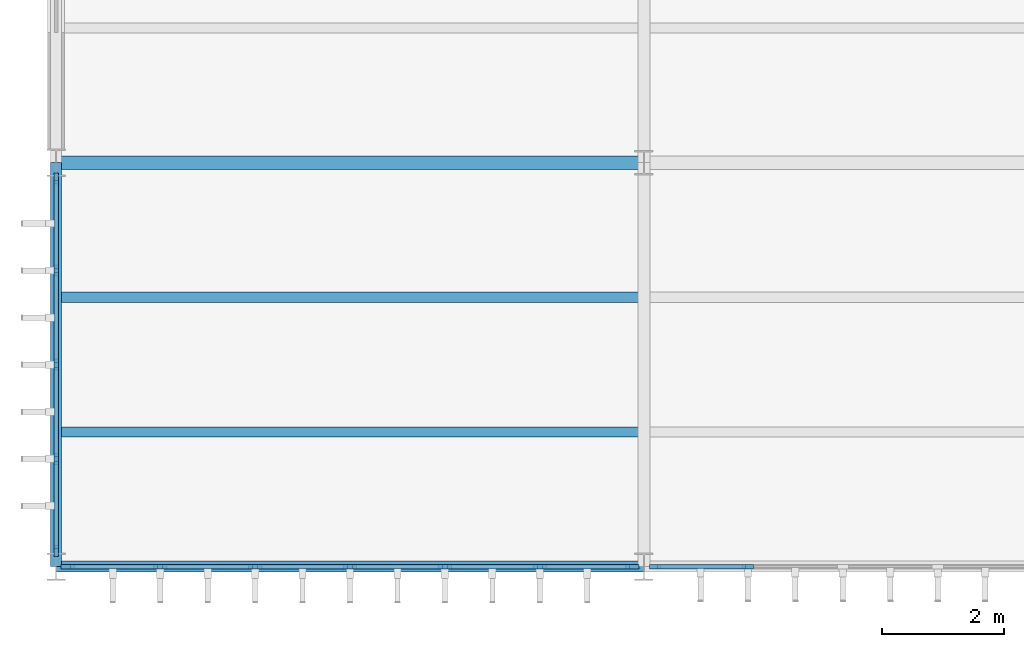
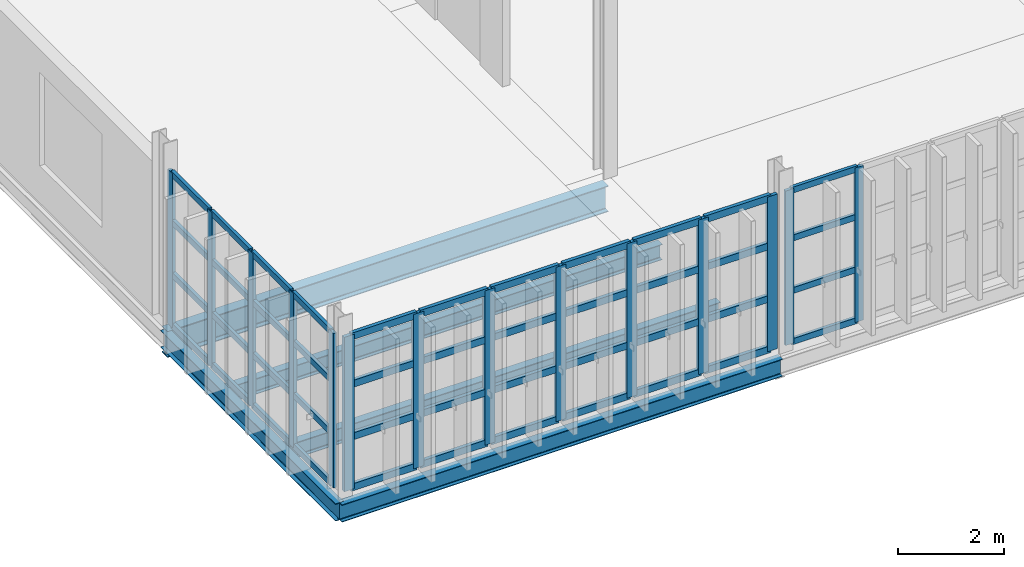
# One storey, part 4 of 38: 58 members, 5 beams, 3 elements without a shape of their own.
"""IFC4 building model written with IfcOpenShell, lengths in metres."""

from ifc_helpers import new_model, si_unit, direction, frame, origin, origin_2d, place, context, subcontext, project, spatial, rectangle, i_section, extrude, material, layer, layer_set, material_profile, profile_set, type_object, element, aggregate, save


model = new_model("IFC4")

# Units and contexts
model_context = context("Model", 3, precision=1e-05, world=origin(), true_north=direction((0.0, 1.0)))
body_context = subcontext(model_context, "Body", "Model", "MODEL_VIEW")
ifc_project = project(units=[si_unit("LENGTHUNIT", "METRE"), si_unit("AREAUNIT", "SQUARE_METRE"), si_unit("VOLUMEUNIT", "CUBIC_METRE"), si_unit("PLANEANGLEUNIT", "RADIAN"), si_unit("MASSUNIT", "GRAM", prefix="KILO")], contexts=[model_context])

# Site, building, storey
site_placement = place(None, origin())
site = spatial("IfcSite", under=ifc_project, at=site_placement, CompositionType="ELEMENT")
building_placement = place(site_placement, origin())
building = spatial("IfcBuilding", under=site, at=building_placement, Name="Zarnetskaya Central Station", CompositionType="ELEMENT")
storey_placement = place(building_placement, frame((0.0, 0.0, 18.60009765625)))
storey = spatial("IfcBuildingStorey", under=building, at=storey_placement, Name="L04", CompositionType="ELEMENT", Elevation=18.60009765625)

# Beams
ifc_material_1 = material(Name="Steel S355", Category="steel")
ifc_material_profile_1 = material_profile(ifc_material_1, i_section(OverallWidth=0.169921875, OverallDepth=0.360107421875, WebThickness=0.008056640625, FlangeThickness=0.0126953125, FilletRadius=0.01806640625, at=origin_2d()), Name="IPE 360")
ifc_profile_set_1 = profile_set([ifc_material_profile_1], Name="Steel S355")
beam_type_1 = type_object("IfcBeamType", Name="BM-SEC-360", PredefinedType="BEAM", material=ifc_profile_set_1)
for number, where, z_axis, x_axis, name in (
    (1, (0.080078125, 2.199951171875, -0.420166015625), (1.0, 0.0, 0.0), (0.0, 1.0, 0.0), "Secondary floor beam SEC-L04-Z1836-AB-12-1"),
    (2, (0.080078125, 4.39990234375, -0.420166015625), (1.0, 0.0, 0.0), (0.0, 1.0, 0.0), "Secondary floor beam SEC-L04-Z1836-AB-12-2"),
):
    element("IfcBeam", number, at=place(storey_placement, frame(where, z_axis=z_axis, x_axis=x_axis)), inside=storey, type_object=beam_type_1, Name=name, PredefinedType="BEAM", context=body_context, shape_type="SweptSolid", body=[
        extrude(i_section(OverallWidth=0.169921875, OverallDepth=0.360107421875, WebThickness=0.008056640625, FlangeThickness=0.0126953125, FilletRadius=0.01806640625, at=origin_2d()), origin(), (0.0, 0.0, 1.0), 9.43994140625),
    ])
ifc_material_profile_2 = material_profile(ifc_material_1, i_section(OverallWidth=0.179931640625, OverallDepth=0.39990234375, WebThickness=0.008544921875, FlangeThickness=0.013427734375, FilletRadius=0.02099609375, at=origin_2d()), Name="IPE 400")
ifc_profile_set_2 = profile_set([ifc_material_profile_2], Name="Steel S355")
beam_type_2 = type_object("IfcBeamType", Name="BM-SPN-V5", PredefinedType="SPANDREL", material=ifc_profile_set_2)
beam_1_placement = place(storey_placement, frame((0.0, 0.0, -0.440185546875), z_axis=(0.0, 1.0, 0.0), x_axis=(-1.0, 0.0, 0.0)))
element("IfcBeam", 3, at=beam_1_placement, inside=storey, type_object=beam_type_2, Name="Grid girder GY-L04-A-12", PredefinedType="SPANDREL", context=body_context, shape_type="SweptSolid", body=[
    extrude(i_section(OverallWidth=0.179931640625, OverallDepth=0.39990234375, WebThickness=0.008544921875, FlangeThickness=0.013427734375, FilletRadius=0.02099609375, at=origin_2d()), origin(), (0.0, 0.0, 1.0), 6.60009765625),
])
beam_2_placement = place(storey_placement, frame((0.0, 0.0, -0.440185546875), z_axis=(1.0, 0.0, 0.0), x_axis=(0.0, 1.0, 0.0)))
element("IfcBeam", 4, at=beam_2_placement, inside=storey, type_object=beam_type_2, Name="Grid girder GX-L04-1-AB", PredefinedType="SPANDREL", context=body_context, shape_type="SweptSolid", body=[
    extrude(i_section(OverallWidth=0.179931640625, OverallDepth=0.39990234375, WebThickness=0.008544921875, FlangeThickness=0.013427734375, FilletRadius=0.02099609375, at=origin_2d()), origin(), (0.0, 0.0, 1.0), 9.60009765625),
])

# Curtain wall, members
ifc_material_2 = material(Name="Low-E insulated glass", Category="glass")
ifc_layer_1 = layer(ifc_material_2, 0.159912109375, Name="Low-E insulated glass", Category="glass")
ifc_layer_set_1 = layer_set([ifc_layer_1], Name="Low-E insulated glass")
curtain_wall_type_1 = type_object("IfcCurtainWallType", Name="CW-SYS-06", PredefinedType="USERDEFINED", material=ifc_layer_set_1)
curtain_wall_1_placement = place(storey_placement, origin())
curtain_wall_1 = element("IfcCurtainWall", 5, at=curtain_wall_1_placement, inside=storey, type_object=curtain_wall_type_1, Name="Curtain wall CW-L04-047", ObjectType="CURTAIN WALL", PredefinedType="USERDEFINED")
ifc_material_3 = material(Name="Anodised aluminium", Category="aluminium")
ifc_material_profile_3 = material_profile(ifc_material_3, rectangle(XDim=0.070068359375, YDim=0.179931640625, at=origin_2d()), Name="ALU MULL 70x180")
ifc_profile_set_3 = profile_set([ifc_material_profile_3], Name="Anodised aluminium")
member_type_1 = type_object("IfcMemberType", Name="CW-MULL-180", PredefinedType="MULLION", material=ifc_profile_set_3)
member_1_placement = place(storey_placement, frame((0.0, 0.260009765625, 0.0), z_axis=(0.0, 0.0, 1.0), x_axis=(-1.0, 0.0, 0.0)))
member_1 = element("IfcMember", 6, at=member_1_placement, type_object=member_type_1, Name="CW-02 mullion 1", PredefinedType="MULLION", context=body_context, shape_type="SweptSolid", body=[
    extrude(rectangle(XDim=0.070068359375, YDim=0.179931640625, at=origin_2d()), origin(), (0.0, 0.0, 1.0), 3.559814453125),
])
member_2_placement = place(storey_placement, frame((0.0, 1.762451171875, 0.0), z_axis=(0.0, 0.0, 1.0), x_axis=(-1.0, 0.0, 0.0)))
member_2 = element("IfcMember", 7, at=member_2_placement, type_object=member_type_1, Name="CW-02 mullion 2", PredefinedType="MULLION", context=body_context, shape_type="SweptSolid", body=[
    extrude(rectangle(XDim=0.070068359375, YDim=0.179931640625, at=origin_2d()), origin(), (0.0, 0.0, 1.0), 3.559814453125),
])
member_3_placement = place(storey_placement, frame((0.0, 3.300048828125, 0.0), z_axis=(0.0, 0.0, 1.0), x_axis=(-1.0, 0.0, 0.0)))
member_3 = element("IfcMember", 8, at=member_3_placement, type_object=member_type_1, Name="CW-02 mullion 3", PredefinedType="MULLION", context=body_context, shape_type="SweptSolid", body=[
    extrude(rectangle(XDim=0.070068359375, YDim=0.179931640625, at=origin_2d()), origin(), (0.0, 0.0, 1.0), 3.559814453125),
])
member_4_placement = place(storey_placement, frame((0.0, 4.83740234375, 0.0), z_axis=(0.0, 0.0, 1.0), x_axis=(-1.0, 0.0, 0.0)))
member_4 = element("IfcMember", 9, at=member_4_placement, type_object=member_type_1, Name="CW-02 mullion 4", PredefinedType="MULLION", context=body_context, shape_type="SweptSolid", body=[
    extrude(rectangle(XDim=0.070068359375, YDim=0.179931640625, at=origin_2d()), origin(), (0.0, 0.0, 1.0), 3.559814453125),
])
member_5_placement = place(storey_placement, frame((0.0, 6.340087890625, 0.0), z_axis=(0.0, 0.0, 1.0), x_axis=(-1.0, 0.0, 0.0)))
member_5 = element("IfcMember", 10, at=member_5_placement, type_object=member_type_1, Name="CW-02 mullion 5", PredefinedType="MULLION", context=body_context, shape_type="SweptSolid", body=[
    extrude(rectangle(XDim=0.070068359375, YDim=0.179931640625, at=origin_2d()), origin(), (0.0, 0.0, 1.0), 3.559814453125),
])

ifc_layer_2 = layer(ifc_material_2, 0.172119140625, Name="Low-E insulated glass", Category="glass")
ifc_layer_set_2 = layer_set([ifc_layer_2], Name="Low-E insulated glass")
curtain_wall_type_2 = type_object("IfcCurtainWallType", Name="CW-SYS-09", PredefinedType="USERDEFINED", material=ifc_layer_set_2)
curtain_wall_2_placement = place(storey_placement, origin())
curtain_wall_2 = element("IfcCurtainWall", 11, at=curtain_wall_2_placement, inside=storey, type_object=curtain_wall_type_2, Name="Curtain wall CW-L04-061", ObjectType="CURTAIN WALL", PredefinedType="USERDEFINED")
member_6_placement = place(storey_placement, frame((11.300048828125, 0.0, 0.0), z_axis=(0.0, 0.0, 1.0), x_axis=(0.0, -1.0, 0.0)))
member_6 = element("IfcMember", 12, at=member_6_placement, type_object=member_type_1, Name="CW-07 mullion 6", PredefinedType="MULLION", context=body_context, shape_type="SweptSolid", body=[
    extrude(rectangle(XDim=0.070068359375, YDim=0.179931640625, at=origin_2d()), origin(), (0.0, 0.0, 1.0), 3.559814453125),
])
member_7_placement = place(storey_placement, frame((9.784912109375, 0.0, 0.0), z_axis=(0.0, 0.0, 1.0), x_axis=(0.0, -1.0, 0.0)))
member_7 = element("IfcMember", 13, at=member_7_placement, type_object=member_type_1, Name="CW-07 mullion 7", PredefinedType="MULLION", context=body_context, shape_type="SweptSolid", body=[
    extrude(rectangle(XDim=0.070068359375, YDim=0.179931640625, at=origin_2d()), origin(), (0.0, 0.0, 1.0), 3.559814453125),
])

ifc_layer_3 = layer(ifc_material_2, 0.176025390625, Name="Low-E insulated glass", Category="glass")
ifc_layer_set_3 = layer_set([ifc_layer_3], Name="Low-E insulated glass")
curtain_wall_type_3 = type_object("IfcCurtainWallType", Name="CW-SYS-10", PredefinedType="USERDEFINED", material=ifc_layer_set_3)
curtain_wall_3_placement = place(storey_placement, origin())
curtain_wall_3 = element("IfcCurtainWall", 14, at=curtain_wall_3_placement, inside=storey, type_object=curtain_wall_type_3, Name="Curtain wall CW-L04-062", ObjectType="CURTAIN WALL", PredefinedType="USERDEFINED")
ifc_material_profile_4 = material_profile(ifc_material_3, rectangle(XDim=0.080078125, YDim=0.219970703125, at=origin_2d()), Name="ALU MULL 80x220")
ifc_profile_set_4 = profile_set([ifc_material_profile_4], Name="Anodised aluminium")
member_type_2 = type_object("IfcMemberType", Name="CW-MULL-220", PredefinedType="MULLION", material=ifc_profile_set_4)
member_8_placement = place(storey_placement, frame((9.409912109375, 0.0, 0.0), z_axis=(0.0, 0.0, 1.0), x_axis=(0.0, -1.0, 0.0)))
member_8 = element("IfcMember", 15, at=member_8_placement, type_object=member_type_2, Name="CW-13 mullion 1", PredefinedType="MULLION", context=body_context, shape_type="SweptSolid", body=[
    extrude(rectangle(XDim=0.080078125, YDim=0.219970703125, at=origin_2d()), origin(), (0.0, 0.0, 1.0), 3.559814453125),
])
member_9_placement = place(storey_placement, frame((7.89990234375, 0.0, 0.0), z_axis=(0.0, 0.0, 1.0), x_axis=(0.0, -1.0, 0.0)))
member_9 = element("IfcMember", 16, at=member_9_placement, type_object=member_type_2, Name="CW-13 mullion 2", PredefinedType="MULLION", context=body_context, shape_type="SweptSolid", body=[
    extrude(rectangle(XDim=0.080078125, YDim=0.219970703125, at=origin_2d()), origin(), (0.0, 0.0, 1.0), 3.559814453125),
])
member_10_placement = place(storey_placement, frame((6.35009765625, 0.0, 0.0), z_axis=(0.0, 0.0, 1.0), x_axis=(0.0, -1.0, 0.0)))
member_10 = element("IfcMember", 17, at=member_10_placement, type_object=member_type_2, Name="CW-13 mullion 3", PredefinedType="MULLION", context=body_context, shape_type="SweptSolid", body=[
    extrude(rectangle(XDim=0.080078125, YDim=0.219970703125, at=origin_2d()), origin(), (0.0, 0.0, 1.0), 3.559814453125),
])
member_11_placement = place(storey_placement, frame((4.800048828125, 0.0, 0.0), z_axis=(0.0, 0.0, 1.0), x_axis=(0.0, -1.0, 0.0)))
member_11 = element("IfcMember", 18, at=member_11_placement, type_object=member_type_2, Name="CW-13 mullion 4", PredefinedType="MULLION", context=body_context, shape_type="SweptSolid", body=[
    extrude(rectangle(XDim=0.080078125, YDim=0.219970703125, at=origin_2d()), origin(), (0.0, 0.0, 1.0), 3.559814453125),
])
member_12_placement = place(storey_placement, frame((3.25, 0.0, 0.0), z_axis=(0.0, 0.0, 1.0), x_axis=(0.0, -1.0, 0.0)))
member_12 = element("IfcMember", 19, at=member_12_placement, type_object=member_type_2, Name="CW-13 mullion 5", PredefinedType="MULLION", context=body_context, shape_type="SweptSolid", body=[
    extrude(rectangle(XDim=0.080078125, YDim=0.219970703125, at=origin_2d()), origin(), (0.0, 0.0, 1.0), 3.559814453125),
])
member_13_placement = place(storey_placement, frame((1.699951171875, 0.0, 0.0), z_axis=(0.0, 0.0, 1.0), x_axis=(0.0, -1.0, 0.0)))
member_13 = element("IfcMember", 20, at=member_13_placement, type_object=member_type_2, Name="CW-13 mullion 6", PredefinedType="MULLION", context=body_context, shape_type="SweptSolid", body=[
    extrude(rectangle(XDim=0.080078125, YDim=0.219970703125, at=origin_2d()), origin(), (0.0, 0.0, 1.0), 3.559814453125),
])
member_14_placement = place(storey_placement, frame((0.18994140625, 0.0, 0.0), z_axis=(0.0, 0.0, 1.0), x_axis=(0.0, -1.0, 0.0)))
member_14 = element("IfcMember", 21, at=member_14_placement, type_object=member_type_2, Name="CW-13 mullion 7", PredefinedType="MULLION", context=body_context, shape_type="SweptSolid", body=[
    extrude(rectangle(XDim=0.080078125, YDim=0.219970703125, at=origin_2d()), origin(), (0.0, 0.0, 1.0), 3.559814453125),
])

# Member
ifc_material_profile_5 = material_profile(ifc_material_3, rectangle(XDim=0.070068359375, YDim=0.139892578125, at=origin_2d()), Name="ALU TRAN 70x140")
ifc_profile_set_5 = profile_set([ifc_material_profile_5], Name="Anodised aluminium")
member_type_3 = type_object("IfcMemberType", Name="CW-TRAN-140", PredefinedType="USERDEFINED", material=ifc_profile_set_5)
member_15_placement = place(storey_placement, frame((0.0, 0.294921875, 0.034912109375), z_axis=(0.0, 1.0, 0.0), x_axis=(-1.0, 0.0, 0.0)))
member_15 = element("IfcMember", 22, at=member_15_placement, type_object=member_type_3, Name="CW-02 transom 1.1", ObjectType="TRANSOM", PredefinedType="USERDEFINED", context=body_context, shape_type="SweptSolid", body=[
    extrude(rectangle(XDim=0.070068359375, YDim=0.139892578125, at=origin_2d()), origin(), (0.0, 0.0, 1.0), 1.4326171875),
])

member_16_placement = place(storey_placement, frame((0.0, 0.294921875, 1.2099609375), z_axis=(0.0, 1.0, 0.0), x_axis=(-1.0, 0.0, 0.0)))
member_16 = element("IfcMember", 23, at=member_16_placement, type_object=member_type_3, Name="CW-02 transom 1.2", ObjectType="TRANSOM", PredefinedType="USERDEFINED", context=body_context, shape_type="SweptSolid", body=[
    extrude(rectangle(XDim=0.070068359375, YDim=0.139892578125, at=origin_2d()), origin(), (0.0, 0.0, 1.0), 1.4326171875),
])

member_17_placement = place(storey_placement, frame((0.0, 0.294921875, 2.4208984375), z_axis=(0.0, 1.0, 0.0), x_axis=(-1.0, 0.0, 0.0)))
member_17 = element("IfcMember", 24, at=member_17_placement, type_object=member_type_3, Name="CW-02 transom 1.3", ObjectType="TRANSOM", PredefinedType="USERDEFINED", context=body_context, shape_type="SweptSolid", body=[
    extrude(rectangle(XDim=0.070068359375, YDim=0.139892578125, at=origin_2d()), origin(), (0.0, 0.0, 1.0), 1.4326171875),
])

member_18_placement = place(storey_placement, frame((0.0, 0.294921875, 3.52490234375), z_axis=(0.0, 1.0, 0.0), x_axis=(-1.0, 0.0, 0.0)))
member_18 = element("IfcMember", 25, at=member_18_placement, type_object=member_type_3, Name="CW-02 transom 1.4", ObjectType="TRANSOM", PredefinedType="USERDEFINED", context=body_context, shape_type="SweptSolid", body=[
    extrude(rectangle(XDim=0.070068359375, YDim=0.139892578125, at=origin_2d()), origin(), (0.0, 0.0, 1.0), 1.4326171875),
])

member_19_placement = place(storey_placement, frame((0.0, 1.797607421875, 0.034912109375), z_axis=(0.0, 1.0, 0.0), x_axis=(-1.0, 0.0, 0.0)))
member_19 = element("IfcMember", 26, at=member_19_placement, type_object=member_type_3, Name="CW-02 transom 2.1", ObjectType="TRANSOM", PredefinedType="USERDEFINED", context=body_context, shape_type="SweptSolid", body=[
    extrude(rectangle(XDim=0.070068359375, YDim=0.139892578125, at=origin_2d()), origin(), (0.0, 0.0, 1.0), 1.46728515625),
])

member_20_placement = place(storey_placement, frame((0.0, 1.797607421875, 1.2099609375), z_axis=(0.0, 1.0, 0.0), x_axis=(-1.0, 0.0, 0.0)))
member_20 = element("IfcMember", 27, at=member_20_placement, type_object=member_type_3, Name="CW-02 transom 2.2", ObjectType="TRANSOM", PredefinedType="USERDEFINED", context=body_context, shape_type="SweptSolid", body=[
    extrude(rectangle(XDim=0.070068359375, YDim=0.139892578125, at=origin_2d()), origin(), (0.0, 0.0, 1.0), 1.46728515625),
])

member_21_placement = place(storey_placement, frame((0.0, 1.797607421875, 2.4208984375), z_axis=(0.0, 1.0, 0.0), x_axis=(-1.0, 0.0, 0.0)))
member_21 = element("IfcMember", 28, at=member_21_placement, type_object=member_type_3, Name="CW-02 transom 2.3", ObjectType="TRANSOM", PredefinedType="USERDEFINED", context=body_context, shape_type="SweptSolid", body=[
    extrude(rectangle(XDim=0.070068359375, YDim=0.139892578125, at=origin_2d()), origin(), (0.0, 0.0, 1.0), 1.46728515625),
])

member_22_placement = place(storey_placement, frame((0.0, 1.797607421875, 3.52490234375), z_axis=(0.0, 1.0, 0.0), x_axis=(-1.0, 0.0, 0.0)))
member_22 = element("IfcMember", 29, at=member_22_placement, type_object=member_type_3, Name="CW-02 transom 2.4", ObjectType="TRANSOM", PredefinedType="USERDEFINED", context=body_context, shape_type="SweptSolid", body=[
    extrude(rectangle(XDim=0.070068359375, YDim=0.139892578125, at=origin_2d()), origin(), (0.0, 0.0, 1.0), 1.46728515625),
])

member_23_placement = place(storey_placement, frame((0.0, 3.3349609375, 0.034912109375), z_axis=(0.0, 1.0, 0.0), x_axis=(-1.0, 0.0, 0.0)))
member_23 = element("IfcMember", 30, at=member_23_placement, type_object=member_type_3, Name="CW-02 transom 3.1", ObjectType="TRANSOM", PredefinedType="USERDEFINED", context=body_context, shape_type="SweptSolid", body=[
    extrude(rectangle(XDim=0.070068359375, YDim=0.139892578125, at=origin_2d()), origin(), (0.0, 0.0, 1.0), 1.467529296875),
])

member_24_placement = place(storey_placement, frame((0.0, 3.3349609375, 1.2099609375), z_axis=(0.0, 1.0, 0.0), x_axis=(-1.0, 0.0, 0.0)))
member_24 = element("IfcMember", 31, at=member_24_placement, type_object=member_type_3, Name="CW-02 transom 3.2", ObjectType="TRANSOM", PredefinedType="USERDEFINED", context=body_context, shape_type="SweptSolid", body=[
    extrude(rectangle(XDim=0.070068359375, YDim=0.139892578125, at=origin_2d()), origin(), (0.0, 0.0, 1.0), 1.467529296875),
])

member_25_placement = place(storey_placement, frame((0.0, 3.3349609375, 2.4208984375), z_axis=(0.0, 1.0, 0.0), x_axis=(-1.0, 0.0, 0.0)))
member_25 = element("IfcMember", 32, at=member_25_placement, type_object=member_type_3, Name="CW-02 transom 3.3", ObjectType="TRANSOM", PredefinedType="USERDEFINED", context=body_context, shape_type="SweptSolid", body=[
    extrude(rectangle(XDim=0.070068359375, YDim=0.139892578125, at=origin_2d()), origin(), (0.0, 0.0, 1.0), 1.467529296875),
])

member_26_placement = place(storey_placement, frame((0.0, 3.3349609375, 3.52490234375), z_axis=(0.0, 1.0, 0.0), x_axis=(-1.0, 0.0, 0.0)))
member_26 = element("IfcMember", 33, at=member_26_placement, type_object=member_type_3, Name="CW-02 transom 3.4", ObjectType="TRANSOM", PredefinedType="USERDEFINED", context=body_context, shape_type="SweptSolid", body=[
    extrude(rectangle(XDim=0.070068359375, YDim=0.139892578125, at=origin_2d()), origin(), (0.0, 0.0, 1.0), 1.467529296875),
])

member_27_placement = place(storey_placement, frame((0.0, 4.87255859375, 0.034912109375), z_axis=(0.0, 1.0, 0.0), x_axis=(-1.0, 0.0, 0.0)))
member_27 = element("IfcMember", 34, at=member_27_placement, type_object=member_type_3, Name="CW-02 transom 4.1", ObjectType="TRANSOM", PredefinedType="USERDEFINED", context=body_context, shape_type="SweptSolid", body=[
    extrude(rectangle(XDim=0.070068359375, YDim=0.139892578125, at=origin_2d()), origin(), (0.0, 0.0, 1.0), 1.432373046875),
])

member_28_placement = place(storey_placement, frame((0.0, 4.87255859375, 1.2099609375), z_axis=(0.0, 1.0, 0.0), x_axis=(-1.0, 0.0, 0.0)))
member_28 = element("IfcMember", 35, at=member_28_placement, type_object=member_type_3, Name="CW-02 transom 4.2", ObjectType="TRANSOM", PredefinedType="USERDEFINED", context=body_context, shape_type="SweptSolid", body=[
    extrude(rectangle(XDim=0.070068359375, YDim=0.139892578125, at=origin_2d()), origin(), (0.0, 0.0, 1.0), 1.432373046875),
])

member_29_placement = place(storey_placement, frame((0.0, 4.87255859375, 2.4208984375), z_axis=(0.0, 1.0, 0.0), x_axis=(-1.0, 0.0, 0.0)))
member_29 = element("IfcMember", 36, at=member_29_placement, type_object=member_type_3, Name="CW-02 transom 4.3", ObjectType="TRANSOM", PredefinedType="USERDEFINED", context=body_context, shape_type="SweptSolid", body=[
    extrude(rectangle(XDim=0.070068359375, YDim=0.139892578125, at=origin_2d()), origin(), (0.0, 0.0, 1.0), 1.432373046875),
])

member_30_placement = place(storey_placement, frame((0.0, 4.87255859375, 3.52490234375), z_axis=(0.0, 1.0, 0.0), x_axis=(-1.0, 0.0, 0.0)))
member_30 = element("IfcMember", 37, at=member_30_placement, type_object=member_type_3, Name="CW-02 transom 4.4", ObjectType="TRANSOM", PredefinedType="USERDEFINED", context=body_context, shape_type="SweptSolid", body=[
    extrude(rectangle(XDim=0.070068359375, YDim=0.139892578125, at=origin_2d()), origin(), (0.0, 0.0, 1.0), 1.432373046875),
])

aggregate(curtain_wall_1, [member_1, member_2, member_3, member_4, member_5, member_15, member_16, member_17, member_18, member_19, member_20, member_21, member_22, member_23, member_24, member_25, member_26, member_27, member_28, member_29, member_30])

member_31_placement = place(storey_placement, frame((11.264892578125, 0.0, 0.034912109375), z_axis=(-1.0, 0.0, 0.0), x_axis=(0.0, -1.0, 0.0)))
member_31 = element("IfcMember", 38, at=member_31_placement, type_object=member_type_3, Name="CW-07 transom 6.1", ObjectType="TRANSOM", PredefinedType="USERDEFINED", context=body_context, shape_type="SweptSolid", body=[
    extrude(rectangle(XDim=0.070068359375, YDim=0.139892578125, at=origin_2d()), origin(), (0.0, 0.0, 1.0), 1.44482421875),
])

member_32_placement = place(storey_placement, frame((11.264892578125, 0.0, 1.2099609375), z_axis=(-1.0, 0.0, 0.0), x_axis=(0.0, -1.0, 0.0)))
member_32 = element("IfcMember", 39, at=member_32_placement, type_object=member_type_3, Name="CW-07 transom 6.2", ObjectType="TRANSOM", PredefinedType="USERDEFINED", context=body_context, shape_type="SweptSolid", body=[
    extrude(rectangle(XDim=0.070068359375, YDim=0.139892578125, at=origin_2d()), origin(), (0.0, 0.0, 1.0), 1.44482421875),
])

member_33_placement = place(storey_placement, frame((11.264892578125, 0.0, 2.4208984375), z_axis=(-1.0, 0.0, 0.0), x_axis=(0.0, -1.0, 0.0)))
member_33 = element("IfcMember", 40, at=member_33_placement, type_object=member_type_3, Name="CW-07 transom 6.3", ObjectType="TRANSOM", PredefinedType="USERDEFINED", context=body_context, shape_type="SweptSolid", body=[
    extrude(rectangle(XDim=0.070068359375, YDim=0.139892578125, at=origin_2d()), origin(), (0.0, 0.0, 1.0), 1.44482421875),
])

member_34_placement = place(storey_placement, frame((11.264892578125, 0.0, 3.52490234375), z_axis=(-1.0, 0.0, 0.0), x_axis=(0.0, -1.0, 0.0)))
member_34 = element("IfcMember", 41, at=member_34_placement, type_object=member_type_3, Name="CW-07 transom 6.4", ObjectType="TRANSOM", PredefinedType="USERDEFINED", context=body_context, shape_type="SweptSolid", body=[
    extrude(rectangle(XDim=0.070068359375, YDim=0.139892578125, at=origin_2d()), origin(), (0.0, 0.0, 1.0), 1.44482421875),
])

aggregate(curtain_wall_2, [member_6, member_7, member_31, member_32, member_33, member_34])

ifc_material_profile_6 = material_profile(ifc_material_3, rectangle(XDim=0.080078125, YDim=0.159912109375, at=origin_2d()), Name="ALU TRAN 80x160")
ifc_profile_set_6 = profile_set([ifc_material_profile_6], Name="Anodised aluminium")
member_type_4 = type_object("IfcMemberType", Name="CW-TRAN-160", PredefinedType="USERDEFINED", material=ifc_profile_set_6)
member_35_placement = place(storey_placement, frame((9.3701171875, 0.0, 0.039794921875), z_axis=(-1.0, 0.0, 0.0), x_axis=(0.0, -1.0, 0.0)))
member_35 = element("IfcMember", 42, at=member_35_placement, type_object=member_type_4, Name="CW-13 transom 1.1", ObjectType="TRANSOM", PredefinedType="USERDEFINED", context=body_context, shape_type="SweptSolid", body=[
    extrude(rectangle(XDim=0.080078125, YDim=0.159912109375, at=origin_2d()), origin(), (0.0, 0.0, 1.0), 1.43017578125),
])

member_36_placement = place(storey_placement, frame((9.3701171875, 0.0, 1.2099609375), z_axis=(-1.0, 0.0, 0.0), x_axis=(0.0, -1.0, 0.0)))
member_36 = element("IfcMember", 43, at=member_36_placement, type_object=member_type_4, Name="CW-13 transom 1.2", ObjectType="TRANSOM", PredefinedType="USERDEFINED", context=body_context, shape_type="SweptSolid", body=[
    extrude(rectangle(XDim=0.080078125, YDim=0.159912109375, at=origin_2d()), origin(), (0.0, 0.0, 1.0), 1.43017578125),
])

member_37_placement = place(storey_placement, frame((9.3701171875, 0.0, 2.4208984375), z_axis=(-1.0, 0.0, 0.0), x_axis=(0.0, -1.0, 0.0)))
member_37 = element("IfcMember", 44, at=member_37_placement, type_object=member_type_4, Name="CW-13 transom 1.3", ObjectType="TRANSOM", PredefinedType="USERDEFINED", context=body_context, shape_type="SweptSolid", body=[
    extrude(rectangle(XDim=0.080078125, YDim=0.159912109375, at=origin_2d()), origin(), (0.0, 0.0, 1.0), 1.43017578125),
])

member_38_placement = place(storey_placement, frame((9.3701171875, 0.0, 3.52001953125), z_axis=(-1.0, 0.0, 0.0), x_axis=(0.0, -1.0, 0.0)))
member_38 = element("IfcMember", 45, at=member_38_placement, type_object=member_type_4, Name="CW-13 transom 1.4", ObjectType="TRANSOM", PredefinedType="USERDEFINED", context=body_context, shape_type="SweptSolid", body=[
    extrude(rectangle(XDim=0.080078125, YDim=0.159912109375, at=origin_2d()), origin(), (0.0, 0.0, 1.0), 1.43017578125),
])

member_39_placement = place(storey_placement, frame((7.860107421875, 0.0, 0.039794921875), z_axis=(-1.0, 0.0, 0.0), x_axis=(0.0, -1.0, 0.0)))
member_39 = element("IfcMember", 46, at=member_39_placement, type_object=member_type_4, Name="CW-13 transom 2.1", ObjectType="TRANSOM", PredefinedType="USERDEFINED", context=body_context, shape_type="SweptSolid", body=[
    extrude(rectangle(XDim=0.080078125, YDim=0.159912109375, at=origin_2d()), origin(), (0.0, 0.0, 1.0), 1.47021484375),
])

member_40_placement = place(storey_placement, frame((7.860107421875, 0.0, 1.2099609375), z_axis=(-1.0, 0.0, 0.0), x_axis=(0.0, -1.0, 0.0)))
member_40 = element("IfcMember", 47, at=member_40_placement, type_object=member_type_4, Name="CW-13 transom 2.2", ObjectType="TRANSOM", PredefinedType="USERDEFINED", context=body_context, shape_type="SweptSolid", body=[
    extrude(rectangle(XDim=0.080078125, YDim=0.159912109375, at=origin_2d()), origin(), (0.0, 0.0, 1.0), 1.47021484375),
])

member_41_placement = place(storey_placement, frame((7.860107421875, 0.0, 2.4208984375), z_axis=(-1.0, 0.0, 0.0), x_axis=(0.0, -1.0, 0.0)))
member_41 = element("IfcMember", 48, at=member_41_placement, type_object=member_type_4, Name="CW-13 transom 2.3", ObjectType="TRANSOM", PredefinedType="USERDEFINED", context=body_context, shape_type="SweptSolid", body=[
    extrude(rectangle(XDim=0.080078125, YDim=0.159912109375, at=origin_2d()), origin(), (0.0, 0.0, 1.0), 1.47021484375),
])

member_42_placement = place(storey_placement, frame((7.860107421875, 0.0, 3.52001953125), z_axis=(-1.0, 0.0, 0.0), x_axis=(0.0, -1.0, 0.0)))
member_42 = element("IfcMember", 49, at=member_42_placement, type_object=member_type_4, Name="CW-13 transom 2.4", ObjectType="TRANSOM", PredefinedType="USERDEFINED", context=body_context, shape_type="SweptSolid", body=[
    extrude(rectangle(XDim=0.080078125, YDim=0.159912109375, at=origin_2d()), origin(), (0.0, 0.0, 1.0), 1.47021484375),
])

member_43_placement = place(storey_placement, frame((6.31005859375, 0.0, 0.039794921875), z_axis=(-1.0, 0.0, 0.0), x_axis=(0.0, -1.0, 0.0)))
member_43 = element("IfcMember", 50, at=member_43_placement, type_object=member_type_4, Name="CW-13 transom 3.1", ObjectType="TRANSOM", PredefinedType="USERDEFINED", context=body_context, shape_type="SweptSolid", body=[
    extrude(rectangle(XDim=0.080078125, YDim=0.159912109375, at=origin_2d()), origin(), (0.0, 0.0, 1.0), 1.469970703125),
])

member_44_placement = place(storey_placement, frame((6.31005859375, 0.0, 1.2099609375), z_axis=(-1.0, 0.0, 0.0), x_axis=(0.0, -1.0, 0.0)))
member_44 = element("IfcMember", 51, at=member_44_placement, type_object=member_type_4, Name="CW-13 transom 3.2", ObjectType="TRANSOM", PredefinedType="USERDEFINED", context=body_context, shape_type="SweptSolid", body=[
    extrude(rectangle(XDim=0.080078125, YDim=0.159912109375, at=origin_2d()), origin(), (0.0, 0.0, 1.0), 1.469970703125),
])

member_45_placement = place(storey_placement, frame((6.31005859375, 0.0, 2.4208984375), z_axis=(-1.0, 0.0, 0.0), x_axis=(0.0, -1.0, 0.0)))
member_45 = element("IfcMember", 52, at=member_45_placement, type_object=member_type_4, Name="CW-13 transom 3.3", ObjectType="TRANSOM", PredefinedType="USERDEFINED", context=body_context, shape_type="SweptSolid", body=[
    extrude(rectangle(XDim=0.080078125, YDim=0.159912109375, at=origin_2d()), origin(), (0.0, 0.0, 1.0), 1.469970703125),
])

member_46_placement = place(storey_placement, frame((6.31005859375, 0.0, 3.52001953125), z_axis=(-1.0, 0.0, 0.0), x_axis=(0.0, -1.0, 0.0)))
member_46 = element("IfcMember", 53, at=member_46_placement, type_object=member_type_4, Name="CW-13 transom 3.4", ObjectType="TRANSOM", PredefinedType="USERDEFINED", context=body_context, shape_type="SweptSolid", body=[
    extrude(rectangle(XDim=0.080078125, YDim=0.159912109375, at=origin_2d()), origin(), (0.0, 0.0, 1.0), 1.469970703125),
])

member_47_placement = place(storey_placement, frame((4.760009765625, 0.0, 0.039794921875), z_axis=(-1.0, 0.0, 0.0), x_axis=(0.0, -1.0, 0.0)))
member_47 = element("IfcMember", 54, at=member_47_placement, type_object=member_type_4, Name="CW-13 transom 4.1", ObjectType="TRANSOM", PredefinedType="USERDEFINED", context=body_context, shape_type="SweptSolid", body=[
    extrude(rectangle(XDim=0.080078125, YDim=0.159912109375, at=origin_2d()), origin(), (0.0, 0.0, 1.0), 1.469970703125),
])

member_48_placement = place(storey_placement, frame((4.760009765625, 0.0, 1.2099609375), z_axis=(-1.0, 0.0, 0.0), x_axis=(0.0, -1.0, 0.0)))
member_48 = element("IfcMember", 55, at=member_48_placement, type_object=member_type_4, Name="CW-13 transom 4.2", ObjectType="TRANSOM", PredefinedType="USERDEFINED", context=body_context, shape_type="SweptSolid", body=[
    extrude(rectangle(XDim=0.080078125, YDim=0.159912109375, at=origin_2d()), origin(), (0.0, 0.0, 1.0), 1.469970703125),
])

member_49_placement = place(storey_placement, frame((4.760009765625, 0.0, 2.4208984375), z_axis=(-1.0, 0.0, 0.0), x_axis=(0.0, -1.0, 0.0)))
member_49 = element("IfcMember", 56, at=member_49_placement, type_object=member_type_4, Name="CW-13 transom 4.3", ObjectType="TRANSOM", PredefinedType="USERDEFINED", context=body_context, shape_type="SweptSolid", body=[
    extrude(rectangle(XDim=0.080078125, YDim=0.159912109375, at=origin_2d()), origin(), (0.0, 0.0, 1.0), 1.469970703125),
])

member_50_placement = place(storey_placement, frame((4.760009765625, 0.0, 3.52001953125), z_axis=(-1.0, 0.0, 0.0), x_axis=(0.0, -1.0, 0.0)))
member_50 = element("IfcMember", 57, at=member_50_placement, type_object=member_type_4, Name="CW-13 transom 4.4", ObjectType="TRANSOM", PredefinedType="USERDEFINED", context=body_context, shape_type="SweptSolid", body=[
    extrude(rectangle(XDim=0.080078125, YDim=0.159912109375, at=origin_2d()), origin(), (0.0, 0.0, 1.0), 1.469970703125),
])

member_51_placement = place(storey_placement, frame((3.2099609375, 0.0, 0.039794921875), z_axis=(-1.0, 0.0, 0.0), x_axis=(0.0, -1.0, 0.0)))
member_51 = element("IfcMember", 58, at=member_51_placement, type_object=member_type_4, Name="CW-13 transom 5.1", ObjectType="TRANSOM", PredefinedType="USERDEFINED", context=body_context, shape_type="SweptSolid", body=[
    extrude(rectangle(XDim=0.080078125, YDim=0.159912109375, at=origin_2d()), origin(), (0.0, 0.0, 1.0), 1.469970703125),
])

member_52_placement = place(storey_placement, frame((3.2099609375, 0.0, 1.2099609375), z_axis=(-1.0, 0.0, 0.0), x_axis=(0.0, -1.0, 0.0)))
member_52 = element("IfcMember", 59, at=member_52_placement, type_object=member_type_4, Name="CW-13 transom 5.2", ObjectType="TRANSOM", PredefinedType="USERDEFINED", context=body_context, shape_type="SweptSolid", body=[
    extrude(rectangle(XDim=0.080078125, YDim=0.159912109375, at=origin_2d()), origin(), (0.0, 0.0, 1.0), 1.469970703125),
])

member_53_placement = place(storey_placement, frame((3.2099609375, 0.0, 2.4208984375), z_axis=(-1.0, 0.0, 0.0), x_axis=(0.0, -1.0, 0.0)))
member_53 = element("IfcMember", 60, at=member_53_placement, type_object=member_type_4, Name="CW-13 transom 5.3", ObjectType="TRANSOM", PredefinedType="USERDEFINED", context=body_context, shape_type="SweptSolid", body=[
    extrude(rectangle(XDim=0.080078125, YDim=0.159912109375, at=origin_2d()), origin(), (0.0, 0.0, 1.0), 1.469970703125),
])

member_54_placement = place(storey_placement, frame((3.2099609375, 0.0, 3.52001953125), z_axis=(-1.0, 0.0, 0.0), x_axis=(0.0, -1.0, 0.0)))
member_54 = element("IfcMember", 61, at=member_54_placement, type_object=member_type_4, Name="CW-13 transom 5.4", ObjectType="TRANSOM", PredefinedType="USERDEFINED", context=body_context, shape_type="SweptSolid", body=[
    extrude(rectangle(XDim=0.080078125, YDim=0.159912109375, at=origin_2d()), origin(), (0.0, 0.0, 1.0), 1.469970703125),
])

member_55_placement = place(storey_placement, frame((1.659912109375, 0.0, 0.039794921875), z_axis=(-1.0, 0.0, 0.0), x_axis=(0.0, -1.0, 0.0)))
member_55 = element("IfcMember", 62, at=member_55_placement, type_object=member_type_4, Name="CW-13 transom 6.1", ObjectType="TRANSOM", PredefinedType="USERDEFINED", context=body_context, shape_type="SweptSolid", body=[
    extrude(rectangle(XDim=0.080078125, YDim=0.159912109375, at=origin_2d()), origin(), (0.0, 0.0, 1.0), 1.429931640625),
])

member_56_placement = place(storey_placement, frame((1.659912109375, 0.0, 1.2099609375), z_axis=(-1.0, 0.0, 0.0), x_axis=(0.0, -1.0, 0.0)))
member_56 = element("IfcMember", 63, at=member_56_placement, type_object=member_type_4, Name="CW-13 transom 6.2", ObjectType="TRANSOM", PredefinedType="USERDEFINED", context=body_context, shape_type="SweptSolid", body=[
    extrude(rectangle(XDim=0.080078125, YDim=0.159912109375, at=origin_2d()), origin(), (0.0, 0.0, 1.0), 1.429931640625),
])

member_57_placement = place(storey_placement, frame((1.659912109375, 0.0, 2.4208984375), z_axis=(-1.0, 0.0, 0.0), x_axis=(0.0, -1.0, 0.0)))
member_57 = element("IfcMember", 64, at=member_57_placement, type_object=member_type_4, Name="CW-13 transom 6.3", ObjectType="TRANSOM", PredefinedType="USERDEFINED", context=body_context, shape_type="SweptSolid", body=[
    extrude(rectangle(XDim=0.080078125, YDim=0.159912109375, at=origin_2d()), origin(), (0.0, 0.0, 1.0), 1.429931640625),
])

member_58_placement = place(storey_placement, frame((1.659912109375, 0.0, 3.52001953125), z_axis=(-1.0, 0.0, 0.0), x_axis=(0.0, -1.0, 0.0)))
member_58 = element("IfcMember", 65, at=member_58_placement, type_object=member_type_4, Name="CW-13 transom 6.4", ObjectType="TRANSOM", PredefinedType="USERDEFINED", context=body_context, shape_type="SweptSolid", body=[
    extrude(rectangle(XDim=0.080078125, YDim=0.159912109375, at=origin_2d()), origin(), (0.0, 0.0, 1.0), 1.429931640625),
])

aggregate(curtain_wall_3, [member_8, member_9, member_10, member_11, member_12, member_13, member_14, member_35, member_36, member_37, member_38, member_39, member_40, member_41, member_42, member_43, member_44, member_45, member_46, member_47, member_48, member_49, member_50, member_51, member_52, member_53, member_54, member_55, member_56, member_57, member_58])

# Beam
ifc_material_profile_7 = material_profile(ifc_material_1, i_section(OverallWidth=0.219970703125, OverallDepth=0.60009765625, WebThickness=0.011962890625, FlangeThickness=0.01904296875, FilletRadius=0.02392578125, at=origin_2d()), Name="IPE 600")
ifc_profile_set_7 = profile_set([ifc_material_profile_7], Name="Steel S355")
beam_type_3 = type_object("IfcBeamType", Name="GD-FLR-600", PredefinedType="USERDEFINED", material=ifc_profile_set_7)
beam_3_placement = place(storey_placement, frame((0.0, 6.60009765625, -0.5400390625), z_axis=(1.0, 0.0, 0.0), x_axis=(0.0, 1.0, 0.0)))
element("IfcBeam", 66, at=beam_3_placement, inside=storey, type_object=beam_type_3, Name="Grid girder GX-L04-2-AB", ObjectType="GIRDER", PredefinedType="USERDEFINED", context=body_context, shape_type="SweptSolid", body=[
    extrude(i_section(OverallWidth=0.219970703125, OverallDepth=0.60009765625, WebThickness=0.011962890625, FlangeThickness=0.01904296875, FilletRadius=0.02392578125, at=origin_2d()), origin(), (0.0, 0.0, 1.0), 9.60009765625),
])

save(model, "model.ifc")
